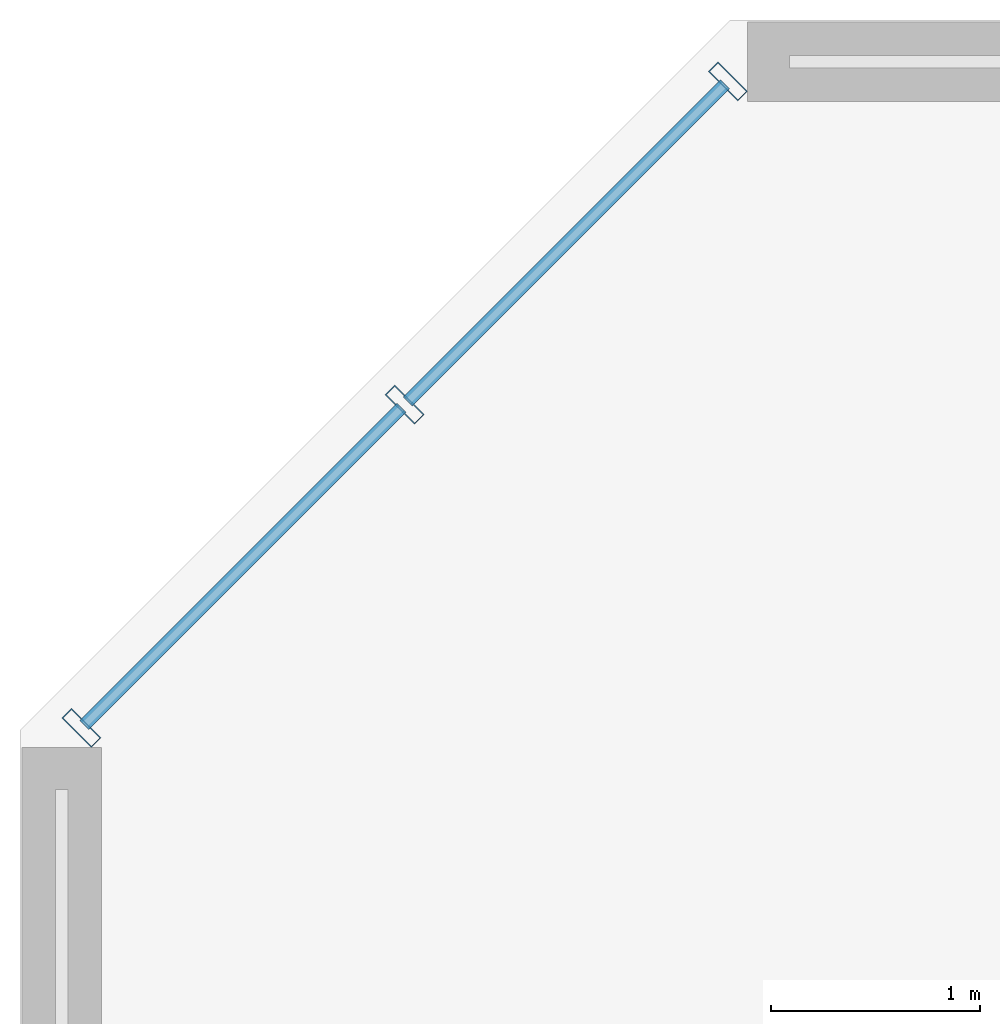
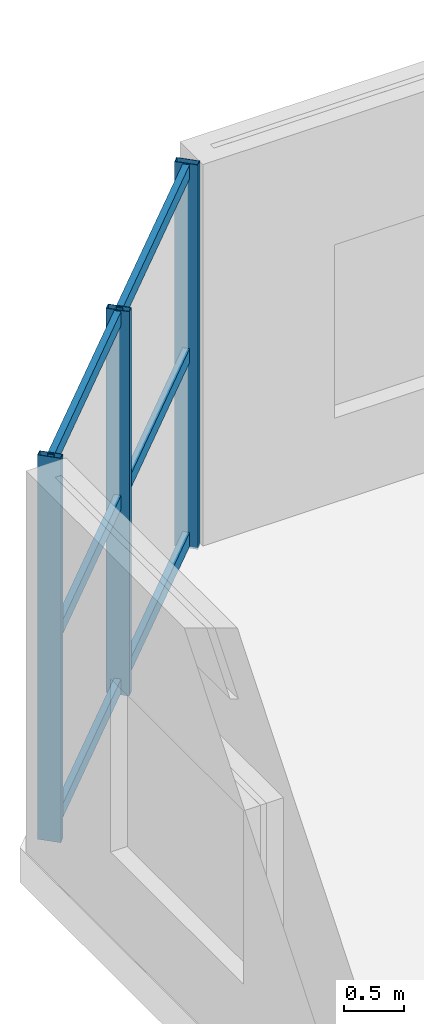
# One storey, part 4 of 22: 9 members, 1 element without a shape of its own.
"""IFC4 building model written with IfcOpenShell, lengths in metres."""

from ifc_helpers import new_model, si_unit, direction, frame, origin, origin_2d, place, context, subcontext, project, spatial, hollow_rectangle, extrude, source, transform, mapped, material, material_profile, profile_set, type_object, element, aggregate, save


model = new_model("IFC4")

# Units and contexts
model_context = context("Model", 3, precision=1e-05, world=origin(), true_north=direction((0.0, 1.0)))
body_context = subcontext(model_context, "Body", "Model", "MODEL_VIEW")
ifc_project = project(units=[si_unit("LENGTHUNIT", "METRE"), si_unit("AREAUNIT", "SQUARE_METRE"), si_unit("VOLUMEUNIT", "CUBIC_METRE"), si_unit("PLANEANGLEUNIT", "RADIAN"), si_unit("MASSUNIT", "GRAM", prefix="KILO")], contexts=[model_context])

# Site, building, storey
site_placement = place(None, origin())
site = spatial("IfcSite", under=ifc_project, at=site_placement, CompositionType="ELEMENT")
building_placement = place(site_placement, origin())
building = spatial("IfcBuilding", under=site, at=building_placement, Name="Tlacorven Tower", CompositionType="ELEMENT")
storey_placement = place(building_placement, frame((0.0, 0.0, 14.39990234375)))
storey = spatial("IfcBuildingStorey", under=building, at=storey_placement, Name="L03", CompositionType="ELEMENT", Elevation=14.39990234375)

# Curtain wall, members
ifc_material_1 = material(Name="Dark solar low-E double glazing in aluminium frame", Category="aluminium")
curtain_wall_type = type_object("IfcCurtainWallType", Name="CW-POD-CLINIC", PredefinedType="USERDEFINED", material=ifc_material_1)
curtain_wall_placement = place(storey_placement, origin())
curtain_wall = element("IfcCurtainWall", 1, at=curtain_wall_placement, inside=storey, type_object=curtain_wall_type, Name="L03 Podium Chamfer Curtain Wall 3", ObjectType="UNITISED CURTAIN WALL", PredefinedType="USERDEFINED")
ifc_material_2 = material(Name="Aluminium 6063-T6 anodised", Category="aluminium")
ifc_material_profile_1 = material_profile(ifc_material_2, hollow_rectangle(XDim=0.06494140625, YDim=0.199951171875, WallThickness=0.00439453125, at=origin_2d()), Name="ALU MULLION 65X200")
ifc_profile_set_1 = profile_set([ifc_material_profile_1], Name="Aluminium 6063-T6 anodised")
member_type_1 = type_object("IfcMemberType", Name="CWM-02", PredefinedType="MULLION", material=ifc_profile_set_1)
shared_shape_1 = source(origin(), body_context, "Body", "SweptSolid", [
    extrude(hollow_rectangle(XDim=0.06494140625, YDim=0.199951171875, WallThickness=0.00439453125, at=origin_2d()), origin(), (0.0, 0.0, 1.0), 3.880126953125),
])
member_1_placement = place(storey_placement, frame((1.693603515625, 43.2109375, -0.02001953125), z_axis=(0.0, 0.0, 1.0), x_axis=(0.707106781187, 0.707106781187, 0.0)))
member_1 = element("IfcMember", 2, at=member_1_placement, type_object=member_type_1, Name="CW-L03-014 Mullion 1", PredefinedType="MULLION", context=body_context, shape_type="MappedRepresentation", body=[
    mapped(shared_shape_1, transform((0.0, 0.0, 0.0), scale=1.0)),
])
member_2_placement = place(storey_placement, frame((3.241455078125, 44.758544921875, -0.02001953125), z_axis=(0.0, 0.0, 1.0), x_axis=(0.707106781187, 0.707106781187, 0.0)))
member_2 = element("IfcMember", 3, at=member_2_placement, type_object=member_type_1, Name="CW-L03-014 Mullion 2", PredefinedType="MULLION", context=body_context, shape_type="MappedRepresentation", body=[
    mapped(shared_shape_1, transform((0.0, 0.0, 0.0), scale=1.0)),
])
member_3_placement = place(storey_placement, frame((4.7890625, 46.306396484375, -0.02001953125), z_axis=(0.0, 0.0, 1.0), x_axis=(0.707106781187, 0.707106781187, 0.0)))
member_3 = element("IfcMember", 4, at=member_3_placement, type_object=member_type_1, Name="CW-L03-014 Mullion 3", PredefinedType="MULLION", context=body_context, shape_type="MappedRepresentation", body=[
    mapped(shared_shape_1, transform((0.0, 0.0, 0.0), scale=1.0)),
])
ifc_material_profile_2 = material_profile(ifc_material_2, hollow_rectangle(XDim=0.06005859375, YDim=0.139892578125, WallThickness=0.00390625, at=origin_2d()), Name="ALU TRANSOM 60X140")
ifc_profile_set_2 = profile_set([ifc_material_profile_2], Name="Aluminium 6063-T6 anodised")
member_type_2 = type_object("IfcMemberType", Name="CWT-02", PredefinedType="USERDEFINED", material=ifc_profile_set_2)
shared_shape_2 = source(origin(), body_context, "Body", "SweptSolid", [
    extrude(hollow_rectangle(XDim=0.06005859375, YDim=0.139892578125, WallThickness=0.00390625, at=origin_2d()), origin(), (0.0, 0.0, 1.0), 2.14794921875),
])
member_4_placement = place(storey_placement, frame((1.708251953125, 43.225341796875, 0.070068359375), z_axis=(0.707106781187, 0.707106781187, 0.0), x_axis=(-0.707106781187, 0.707106781187, 0.0)))
member_4 = element("IfcMember", 5, at=member_4_placement, type_object=member_type_2, Name="CW-L03-014 Transom 1", ObjectType="TRANSOM", PredefinedType="USERDEFINED", context=body_context, shape_type="MappedRepresentation", body=[
    mapped(shared_shape_2, transform((0.0, 0.0, 0.0), scale=1.0)),
])
member_5_placement = place(storey_placement, frame((1.708251953125, 43.225341796875, 1.925048828125), z_axis=(0.707106781187, 0.707106781187, 0.0), x_axis=(-0.707106781187, 0.707106781187, 0.0)))
member_5 = element("IfcMember", 6, at=member_5_placement, type_object=member_type_2, Name="CW-L03-014 Transom 2", ObjectType="TRANSOM", PredefinedType="USERDEFINED", context=body_context, shape_type="MappedRepresentation", body=[
    mapped(shared_shape_2, transform((0.0, 0.0, 0.0), scale=1.0)),
])
member_6_placement = place(storey_placement, frame((1.708251953125, 43.225341796875, 3.780029296875), z_axis=(0.707106781187, 0.707106781187, 0.0), x_axis=(-0.707106781187, 0.707106781187, 0.0)))
member_6 = element("IfcMember", 7, at=member_6_placement, type_object=member_type_2, Name="CW-L03-014 Transom 3", ObjectType="TRANSOM", PredefinedType="USERDEFINED", context=body_context, shape_type="MappedRepresentation", body=[
    mapped(shared_shape_2, transform((0.0, 0.0, 0.0), scale=1.0)),
])
member_7_placement = place(storey_placement, frame((3.255859375, 44.77294921875, 0.070068359375), z_axis=(0.707106781187, 0.707106781187, 0.0), x_axis=(-0.707106781187, 0.707106781187, 0.0)))
member_7 = element("IfcMember", 8, at=member_7_placement, type_object=member_type_2, Name="CW-L03-014 Transom 4", ObjectType="TRANSOM", PredefinedType="USERDEFINED", context=body_context, shape_type="MappedRepresentation", body=[
    mapped(shared_shape_2, transform((0.0, 0.0, 0.0), scale=1.0)),
])
member_8_placement = place(storey_placement, frame((3.255859375, 44.77294921875, 1.925048828125), z_axis=(0.707106781187, 0.707106781187, 0.0), x_axis=(-0.707106781187, 0.707106781187, 0.0)))
member_8 = element("IfcMember", 9, at=member_8_placement, type_object=member_type_2, Name="CW-L03-014 Transom 5", ObjectType="TRANSOM", PredefinedType="USERDEFINED", context=body_context, shape_type="MappedRepresentation", body=[
    mapped(shared_shape_2, transform((0.0, 0.0, 0.0), scale=1.0)),
])
member_9_placement = place(storey_placement, frame((3.255859375, 44.77294921875, 3.780029296875), z_axis=(0.707106781187, 0.707106781187, 0.0), x_axis=(-0.707106781187, 0.707106781187, 0.0)))
member_9 = element("IfcMember", 10, at=member_9_placement, type_object=member_type_2, Name="CW-L03-014 Transom 6", ObjectType="TRANSOM", PredefinedType="USERDEFINED", context=body_context, shape_type="MappedRepresentation", body=[
    mapped(shared_shape_2, transform((0.0, 0.0, 0.0), scale=1.0)),
])
aggregate(curtain_wall, [member_1, member_2, member_3, member_4, member_5, member_6, member_7, member_8, member_9])

save(model, "model.ifc")
